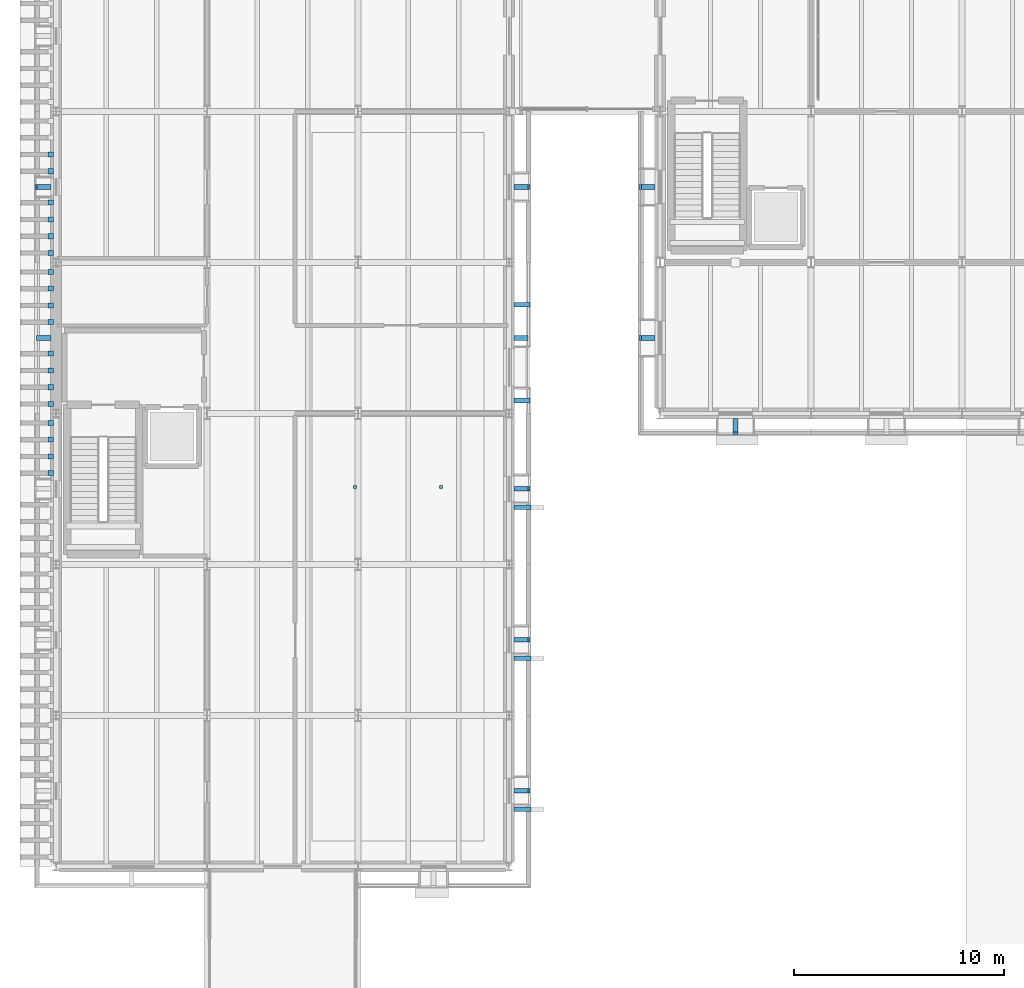
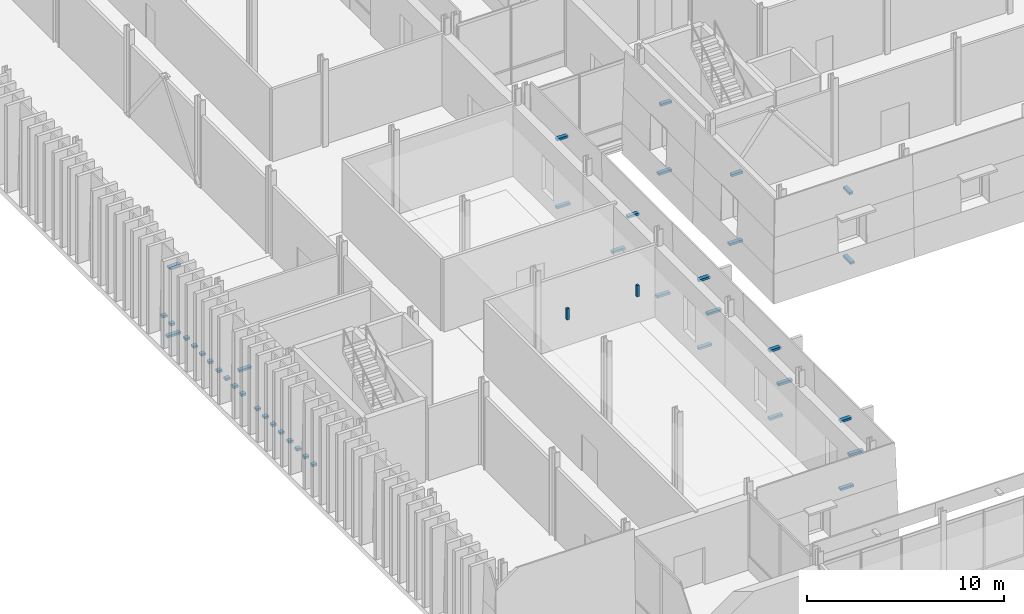
# One storey, part 88 of 120: 43 discrete accessories.
"""IFC4 building model written with IfcOpenShell, lengths in metres."""

from ifc_helpers import new_model, si_unit, direction, frame, origin, origin_2d, place, context, subcontext, project, spatial, rectangle, extrude, material, layer, layer_set, type_object, element, save


model = new_model("IFC4")

# Units and contexts
model_context = context("Model", 3, precision=1e-05, world=origin(), true_north=direction((0.0, 1.0)))
body_context = subcontext(model_context, "Body", "Model", "MODEL_VIEW")
ifc_project = project(units=[si_unit("LENGTHUNIT", "METRE"), si_unit("AREAUNIT", "SQUARE_METRE"), si_unit("VOLUMEUNIT", "CUBIC_METRE"), si_unit("PLANEANGLEUNIT", "RADIAN"), si_unit("MASSUNIT", "GRAM", prefix="KILO")], contexts=[model_context])

# Site, building, storey
site_placement = place(None, origin())
site = spatial("IfcSite", under=ifc_project, at=site_placement, CompositionType="ELEMENT")
building_placement = place(site_placement, origin())
building = spatial("IfcBuilding", under=site, at=building_placement, Name="Narikvali Park Central Library", CompositionType="ELEMENT")
storey_placement = place(building_placement, origin())
storey = spatial("IfcBuildingStorey", under=building, at=storey_placement, Name="L00", CompositionType="ELEMENT", Elevation=0.0)

# Discrete accessories
ifc_material_1 = material(Name="Brushed Stainless Steel S355", Category="steel")
ifc_layer_1 = layer(ifc_material_1, 0.139892578125, Name="Brushed Stainless Steel S355")
ifc_layer_set_1 = layer_set([ifc_layer_1], Name="Brushed Stainless Steel S355")
discrete_accessory_type_1 = type_object("IfcDiscreteAccessoryType", Name="Cladding Stainless Tie-Back Corbel Bracket", PredefinedType="BRACKET", material=ifc_layer_set_1)
discrete_accessory_1_placement = place(storey_placement, frame((32.39990234375, 49.782958984375, -0.03515625), z_axis=(0.0, 0.0, 1.0), x_axis=(1.0, 0.0, 0.0)))
element("IfcDiscreteAccessory", 1, at=discrete_accessory_1_placement, inside=storey, type_object=discrete_accessory_type_1, Name="Limestone Cladding Tie-Back Bracket V4-CLD-L00-S-B01-SP", PredefinedType="BRACKET", context=body_context, shape_type="SweptSolid", body=[
    extrude(rectangle(XDim=0.219970703125, YDim=0.77392578125, at=origin_2d()), origin(), (0.0, 0.0, 1.0), 0.139892578125),
])
discrete_accessory_2_placement = place(storey_placement, frame((32.39990234375, 49.846923828125, 4.205078125), z_axis=(0.0, 0.0, 1.0), x_axis=(1.0, 0.0, 0.0)))
element("IfcDiscreteAccessory", 2, at=discrete_accessory_2_placement, inside=storey, type_object=discrete_accessory_type_1, Name="Limestone Cladding Tie-Back Bracket V4-CLD-L00-S-B01-LN", PredefinedType="BRACKET", context=body_context, shape_type="SweptSolid", body=[
    extrude(rectangle(XDim=0.219970703125, YDim=0.64599609375, at=origin_2d()), origin(), (0.0, 0.0, 1.0), 0.139892578125),
])
discrete_accessory_3_placement = place(storey_placement, frame((28.18310546875, 61.199951171875, -0.03515625), z_axis=(0.0, 0.0, 1.0), x_axis=(1.0, 0.0, 0.0)))
element("IfcDiscreteAccessory", 3, at=discrete_accessory_3_placement, inside=storey, type_object=discrete_accessory_type_1, Name="Limestone Cladding Tie-Back Bracket V4-CLD-L00-W-B08-SP", PredefinedType="BRACKET", context=body_context, shape_type="SweptSolid", body=[
    extrude(rectangle(XDim=0.77392578125, YDim=0.219970703125, at=origin_2d()), origin(), (0.0, 0.0, 1.0), 0.139892578125),
])
discrete_accessory_4_placement = place(storey_placement, frame((28.2470703125, 61.199951171875, 4.205078125), z_axis=(0.0, 0.0, 1.0), x_axis=(1.0, 0.0, 0.0)))
element("IfcDiscreteAccessory", 4, at=discrete_accessory_4_placement, inside=storey, type_object=discrete_accessory_type_1, Name="Limestone Cladding Tie-Back Bracket V4-CLD-L00-W-B08-LN", PredefinedType="BRACKET", context=body_context, shape_type="SweptSolid", body=[
    extrude(rectangle(XDim=0.64599609375, YDim=0.219970703125, at=origin_2d()), origin(), (0.0, 0.0, 1.0), 0.139892578125),
])
discrete_accessory_5_placement = place(storey_placement, frame((28.18310546875, 54.0, -0.03515625), z_axis=(0.0, 0.0, 1.0), x_axis=(1.0, 0.0, 0.0)))
element("IfcDiscreteAccessory", 5, at=discrete_accessory_5_placement, inside=storey, type_object=discrete_accessory_type_1, Name="Limestone Cladding Tie-Back Bracket V4-CLD-L00-W-B09-SP", PredefinedType="BRACKET", context=body_context, shape_type="SweptSolid", body=[
    extrude(rectangle(XDim=0.77392578125, YDim=0.219970703125, at=origin_2d()), origin(), (0.0, 0.0, 1.0), 0.139892578125),
])
discrete_accessory_6_placement = place(storey_placement, frame((28.2470703125, 54.0, 4.205078125), z_axis=(0.0, 0.0, 1.0), x_axis=(1.0, 0.0, 0.0)))
element("IfcDiscreteAccessory", 6, at=discrete_accessory_6_placement, inside=storey, type_object=discrete_accessory_type_1, Name="Limestone Cladding Tie-Back Bracket V4-CLD-L00-W-B09-LN", PredefinedType="BRACKET", context=body_context, shape_type="SweptSolid", body=[
    extrude(rectangle(XDim=0.64599609375, YDim=0.219970703125, at=origin_2d()), origin(), (0.0, 0.0, 1.0), 0.139892578125),
])
discrete_accessory_7_placement = place(storey_placement, frame((22.21826171875, 32.39990234375, -0.03515625), z_axis=(0.0, 0.0, 1.0), x_axis=(1.0, 0.0, 0.0)))
element("IfcDiscreteAccessory", 7, at=discrete_accessory_7_placement, inside=storey, type_object=discrete_accessory_type_1, Name="Limestone Cladding Tie-Back Bracket V5-CLD-L00-E-B01-SP", PredefinedType="BRACKET", context=body_context, shape_type="SweptSolid", body=[
    extrude(rectangle(XDim=0.776611328125, YDim=0.219970703125, at=origin_2d()), origin(), (0.0, 0.0, 1.0), 0.139892578125),
])
discrete_accessory_8_placement = place(storey_placement, frame((22.164794921875, 32.39990234375, 4.18017578125), z_axis=(0.0, 0.0, 1.0), x_axis=(1.0, 0.0, 0.0)))
element("IfcDiscreteAccessory", 8, at=discrete_accessory_8_placement, inside=storey, type_object=discrete_accessory_type_1, Name="Limestone Cladding Tie-Back Bracket V5-CLD-L00-E-B01-LN", PredefinedType="BRACKET", context=body_context, shape_type="SweptSolid", body=[
    extrude(rectangle(XDim=0.66943359375, YDim=0.219970703125, at=origin_2d()), origin(), (0.0, 0.0, 1.0), 0.139892578125),
])
discrete_accessory_9_placement = place(storey_placement, frame((22.21826171875, 39.60009765625, -0.03515625), z_axis=(0.0, 0.0, 1.0), x_axis=(1.0, 0.0, 0.0)))
element("IfcDiscreteAccessory", 9, at=discrete_accessory_9_placement, inside=storey, type_object=discrete_accessory_type_1, Name="Limestone Cladding Tie-Back Bracket V5-CLD-L00-E-B02-SP", PredefinedType="BRACKET", context=body_context, shape_type="SweptSolid", body=[
    extrude(rectangle(XDim=0.776611328125, YDim=0.219970703125, at=origin_2d()), origin(), (0.0, 0.0, 1.0), 0.139892578125),
])
discrete_accessory_10_placement = place(storey_placement, frame((22.164794921875, 39.60009765625, 4.18017578125), z_axis=(0.0, 0.0, 1.0), x_axis=(1.0, 0.0, 0.0)))
element("IfcDiscreteAccessory", 10, at=discrete_accessory_10_placement, inside=storey, type_object=discrete_accessory_type_1, Name="Limestone Cladding Tie-Back Bracket V5-CLD-L00-E-B02-LN", PredefinedType="BRACKET", context=body_context, shape_type="SweptSolid", body=[
    extrude(rectangle(XDim=0.66943359375, YDim=0.219970703125, at=origin_2d()), origin(), (0.0, 0.0, 1.0), 0.139892578125),
])
discrete_accessory_11_placement = place(storey_placement, frame((22.21826171875, 46.800048828125, -0.03515625), z_axis=(0.0, 0.0, 1.0), x_axis=(1.0, 0.0, 0.0)))
element("IfcDiscreteAccessory", 11, at=discrete_accessory_11_placement, inside=storey, type_object=discrete_accessory_type_1, Name="Limestone Cladding Tie-Back Bracket V5-CLD-L00-E-B03-SP", PredefinedType="BRACKET", context=body_context, shape_type="SweptSolid", body=[
    extrude(rectangle(XDim=0.776611328125, YDim=0.219970703125, at=origin_2d()), origin(), (0.0, 0.0, 1.0), 0.139892578125),
])
discrete_accessory_12_placement = place(storey_placement, frame((22.164794921875, 46.800048828125, 4.18017578125), z_axis=(0.0, 0.0, 1.0), x_axis=(1.0, 0.0, 0.0)))
element("IfcDiscreteAccessory", 12, at=discrete_accessory_12_placement, inside=storey, type_object=discrete_accessory_type_1, Name="Limestone Cladding Tie-Back Bracket V5-CLD-L00-E-B03-LN", PredefinedType="BRACKET", context=body_context, shape_type="SweptSolid", body=[
    extrude(rectangle(XDim=0.66943359375, YDim=0.219970703125, at=origin_2d()), origin(), (0.0, 0.0, 1.0), 0.139892578125),
])
for number, where, z_axis, x_axis, name in (
    (13, (22.208984375, 51.02001953125, 0.60986328125), (0.0, 0.0, 1.0), (1.0, 0.0, 0.0), "Limestone Cladding Tie-Back Bracket V5-CLD-L00-E-B04-DL"),
    (14, (22.208984375, 55.580078125, 0.60986328125), (0.0, 0.0, 1.0), (1.0, 0.0, 0.0), "Limestone Cladding Tie-Back Bracket V5-CLD-L00-E-B04-DR"),
):
    element("IfcDiscreteAccessory", number, at=place(storey_placement, frame(where, z_axis=z_axis, x_axis=x_axis)), inside=storey, type_object=discrete_accessory_type_1, Name=name, PredefinedType="BRACKET", context=body_context, shape_type="SweptSolid", body=[
        extrude(rectangle(XDim=0.75830078125, YDim=0.219970703125, at=origin_2d()), origin(), (0.0, 0.0, 1.0), 0.139892578125),
    ])
discrete_accessory_13_placement = place(storey_placement, frame((22.1708984375, 54.0, 3.75), z_axis=(0.0, 0.0, 1.0), x_axis=(1.0, 0.0, 0.0)))
element("IfcDiscreteAccessory", 15, at=discrete_accessory_13_placement, inside=storey, type_object=discrete_accessory_type_1, Name="Limestone Cladding Tie-Back Bracket V5-CLD-L00-E-B04-DH", PredefinedType="BRACKET", context=body_context, shape_type="SweptSolid", body=[
    extrude(rectangle(XDim=0.681640625, YDim=0.219970703125, at=origin_2d()), origin(), (0.0, 0.0, 1.0), 0.139892578125),
])
discrete_accessory_14_placement = place(storey_placement, frame((22.21826171875, 61.199951171875, -0.03515625), z_axis=(0.0, 0.0, 1.0), x_axis=(1.0, 0.0, 0.0)))
element("IfcDiscreteAccessory", 16, at=discrete_accessory_14_placement, inside=storey, type_object=discrete_accessory_type_1, Name="Limestone Cladding Tie-Back Bracket V5-CLD-L00-E-B05-SP", PredefinedType="BRACKET", context=body_context, shape_type="SweptSolid", body=[
    extrude(rectangle(XDim=0.776611328125, YDim=0.219970703125, at=origin_2d()), origin(), (0.0, 0.0, 1.0), 0.139892578125),
])
discrete_accessory_15_placement = place(storey_placement, frame((22.164794921875, 61.199951171875, 4.18017578125), z_axis=(0.0, 0.0, 1.0), x_axis=(1.0, 0.0, 0.0)))
element("IfcDiscreteAccessory", 17, at=discrete_accessory_15_placement, inside=storey, type_object=discrete_accessory_type_1, Name="Limestone Cladding Tie-Back Bracket V5-CLD-L00-E-B05-LN", PredefinedType="BRACKET", context=body_context, shape_type="SweptSolid", body=[
    extrude(rectangle(XDim=0.66943359375, YDim=0.219970703125, at=origin_2d()), origin(), (0.0, 0.0, 1.0), 0.139892578125),
])
discrete_accessory_16_placement = place(storey_placement, frame((-0.6181640625, 61.199951171875, -0.03515625), z_axis=(0.0, 0.0, 1.0), x_axis=(1.0, 0.0, 0.0)))
element("IfcDiscreteAccessory", 18, at=discrete_accessory_16_placement, inside=storey, type_object=discrete_accessory_type_1, Name="Limestone Cladding Tie-Back Bracket V5-CLD-L00-W-B07-SP", PredefinedType="BRACKET", context=body_context, shape_type="SweptSolid", body=[
    extrude(rectangle(XDim=0.776611328125, YDim=0.219970703125, at=origin_2d()), origin(), (0.0, 0.0, 1.0), 0.139892578125),
])
discrete_accessory_17_placement = place(storey_placement, frame((-0.564697265625, 61.199951171875, 4.18017578125), z_axis=(0.0, 0.0, 1.0), x_axis=(1.0, 0.0, 0.0)))
element("IfcDiscreteAccessory", 19, at=discrete_accessory_17_placement, inside=storey, type_object=discrete_accessory_type_1, Name="Limestone Cladding Tie-Back Bracket V5-CLD-L00-W-B07-LN", PredefinedType="BRACKET", context=body_context, shape_type="SweptSolid", body=[
    extrude(rectangle(XDim=0.66943359375, YDim=0.219970703125, at=origin_2d()), origin(), (0.0, 0.0, 1.0), 0.139892578125),
])
discrete_accessory_18_placement = place(storey_placement, frame((-0.586669921875, 54.0, 2.18994140625), z_axis=(0.0, 0.0, 1.0), x_axis=(1.0, 0.0, 0.0)))
element("IfcDiscreteAccessory", 20, at=discrete_accessory_18_placement, inside=storey, type_object=discrete_accessory_type_1, Name="Limestone Cladding Tie-Back Bracket V5-CLD-L00-W-B08-FULL", PredefinedType="BRACKET", context=body_context, shape_type="SweptSolid", body=[
    extrude(rectangle(XDim=0.71337890625, YDim=0.219970703125, at=origin_2d()), origin(), (0.0, 0.0, 1.0), 0.139892578125),
])
for number, where, z_axis, x_axis, name in (
    (21, (22.24609375, 31.52001953125, 2.6298828125), (0.0, 0.0, 1.0), (1.0, 0.0, 0.0), "Sun Louver Tie-Back Fixing Bracket 001"),
    (22, (22.24609375, 38.719970703125, 2.6298828125), (0.0, 0.0, 1.0), (1.0, 0.0, 0.0), "Sun Louver Tie-Back Fixing Bracket 005"),
    (23, (22.24609375, 45.919921875, 2.6298828125), (0.0, 0.0, 1.0), (1.0, 0.0, 0.0), "Sun Louver Tie-Back Fixing Bracket 009"),
):
    element("IfcDiscreteAccessory", number, at=place(storey_placement, frame(where, z_axis=z_axis, x_axis=x_axis)), inside=storey, type_object=discrete_accessory_type_1, Name=name, PredefinedType="BRACKET", context=body_context, shape_type="SweptSolid", body=[
        extrude(rectangle(XDim=0.81201171875, YDim=0.219970703125, at=origin_2d()), origin(), (0.0, 0.0, 1.0), 0.139892578125),
    ])
ifc_material_2 = material(Name="Galvanised Steel S355", Category="steel")
ifc_layer_2 = layer(ifc_material_2, 0.139892578125, Name="Galvanised Steel S355")
ifc_layer_set_2 = layer_set([ifc_layer_2], Name="Galvanised Steel S355")
discrete_accessory_type_2 = type_object("IfcDiscreteAccessoryType", Name="Fin Base Steel Fixing Bracket", PredefinedType="BRACKET", material=ifc_layer_set_2)
for number, where, z_axis, x_axis, name in (
    (24, (-0.260009765625, 47.550048828125, 0.05029296875), (0.0, 0.0, 1.0), (1.0, 0.0, 0.0), "Brick Fin Base Fixing Bracket 021"),
    (25, (-0.260009765625, 48.35009765625, 0.05029296875), (0.0, 0.0, 1.0), (1.0, 0.0, 0.0), "Brick Fin Base Fixing Bracket 022"),
    (26, (-0.260009765625, 49.14990234375, 0.05029296875), (0.0, 0.0, 1.0), (1.0, 0.0, 0.0), "Brick Fin Base Fixing Bracket 023"),
    (27, (-0.260009765625, 49.949951171875, 0.05029296875), (0.0, 0.0, 1.0), (1.0, 0.0, 0.0), "Brick Fin Base Fixing Bracket 024"),
    (28, (-0.260009765625, 50.85009765625, 0.05029296875), (0.0, 0.0, 1.0), (1.0, 0.0, 0.0), "Brick Fin Base Fixing Bracket 025"),
    (29, (-0.260009765625, 51.64990234375, 0.05029296875), (0.0, 0.0, 1.0), (1.0, 0.0, 0.0), "Brick Fin Base Fixing Bracket 026"),
    (30, (-0.260009765625, 52.449951171875, 0.05029296875), (0.0, 0.0, 1.0), (1.0, 0.0, 0.0), "Brick Fin Base Fixing Bracket 027"),
    (31, (-0.260009765625, 53.25, 0.05029296875), (0.0, 0.0, 1.0), (1.0, 0.0, 0.0), "Brick Fin Base Fixing Bracket 028"),
    (32, (-0.260009765625, 54.75, 0.05029296875), (0.0, 0.0, 1.0), (1.0, 0.0, 0.0), "Brick Fin Base Fixing Bracket 029"),
    (33, (-0.260009765625, 55.550048828125, 0.05029296875), (0.0, 0.0, 1.0), (1.0, 0.0, 0.0), "Brick Fin Base Fixing Bracket 030"),
    (34, (-0.260009765625, 56.35009765625, 0.05029296875), (0.0, 0.0, 1.0), (1.0, 0.0, 0.0), "Brick Fin Base Fixing Bracket 031"),
    (35, (-0.260009765625, 57.14990234375, 0.05029296875), (0.0, 0.0, 1.0), (1.0, 0.0, 0.0), "Brick Fin Base Fixing Bracket 032"),
    (36, (-0.260009765625, 58.050048828125, 0.05029296875), (0.0, 0.0, 1.0), (1.0, 0.0, 0.0), "Brick Fin Base Fixing Bracket 033"),
    (37, (-0.260009765625, 58.85009765625, 0.05029296875), (0.0, 0.0, 1.0), (1.0, 0.0, 0.0), "Brick Fin Base Fixing Bracket 034"),
    (38, (-0.260009765625, 59.64990234375, 0.05029296875), (0.0, 0.0, 1.0), (1.0, 0.0, 0.0), "Brick Fin Base Fixing Bracket 035"),
    (39, (-0.260009765625, 60.449951171875, 0.05029296875), (0.0, 0.0, 1.0), (1.0, 0.0, 0.0), "Brick Fin Base Fixing Bracket 036"),
    (40, (-0.260009765625, 61.949951171875, 0.05029296875), (0.0, 0.0, 1.0), (1.0, 0.0, 0.0), "Brick Fin Base Fixing Bracket 037"),
    (41, (-0.260009765625, 62.75, 0.05029296875), (0.0, 0.0, 1.0), (1.0, 0.0, 0.0), "Brick Fin Base Fixing Bracket 038"),
):
    element("IfcDiscreteAccessory", number, at=place(storey_placement, frame(where, z_axis=z_axis, x_axis=x_axis)), inside=storey, type_object=discrete_accessory_type_2, Name=name, PredefinedType="BRACKET", context=body_context, shape_type="SweptSolid", body=[
        extrude(rectangle(XDim=0.260009765625, YDim=0.239990234375, at=origin_2d()), origin(), (0.0, 0.0, 1.0), 0.139892578125),
    ])
ifc_layer_3 = layer(ifc_material_2, 0.7099609375, Name="Galvanised Steel S355")
ifc_layer_set_3 = layer_set([ifc_layer_3], Name="Galvanised Steel S355")
discrete_accessory_type_3 = type_object("IfcDiscreteAccessoryType", Name="Suspended Ceiling Hanger Rod Assembly", PredefinedType="BRACKET", material=ifc_layer_set_3)
for number, where, z_axis, x_axis, name in (
    (42, (14.25, 46.89990234375, 4.409912109375), (0.0, 0.0, 1.0), (1.0, 0.0, 0.0), "V5 L00 Ceiling Suspension Hanger 07-1"),
    (43, (18.35009765625, 46.89990234375, 4.409912109375), (0.0, 0.0, 1.0), (1.0, 0.0, 0.0), "V5 L00 Ceiling Suspension Hanger 07-2"),
):
    element("IfcDiscreteAccessory", number, at=place(storey_placement, frame(where, z_axis=z_axis, x_axis=x_axis)), inside=storey, type_object=discrete_accessory_type_3, Name=name, PredefinedType="BRACKET", context=body_context, shape_type="SweptSolid", body=[
        extrude(rectangle(XDim=0.139892578125, YDim=0.139892578125, at=origin_2d()), origin(), (0.0, 0.0, 1.0), 0.7099609375),
    ])

save(model, "model.ifc")
